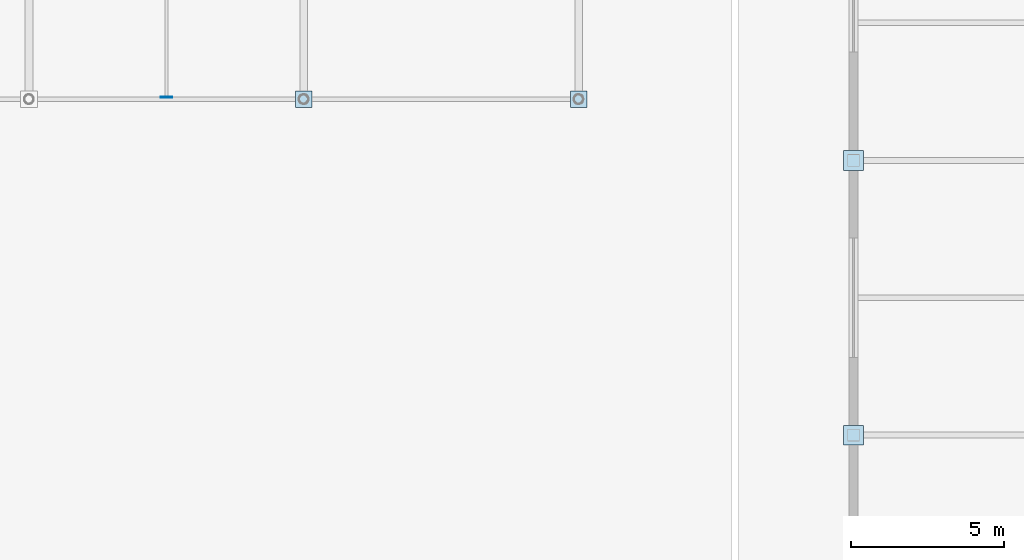
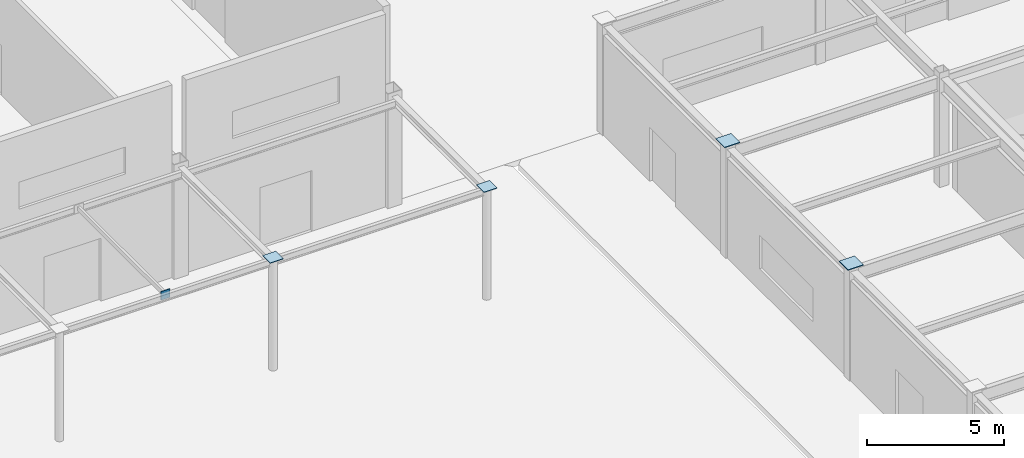
# One storey, part 76 of 123: 5 plates.
"""IFC4 building model written with IfcOpenShell, lengths in metres."""

import ifcopenshell
import ifcopenshell.guid

model = None  # the IFC model being written
_history = None  # IfcOwnerHistory: only IFC2X3 demands one
_inside = {}  # id of a spatial element -> (the spatial element, [elements in it])
_under = {}  # id of a project, library or spatial element -> (it, [spatial elements below it])
_declared = {}  # id of a project -> (the project, [libraries it declares])
_typed = {}  # id of a type object -> (the type object, [elements of that type])
_made_of = {}  # id of a material, layer set ... -> (it, [elements and type objects made of it])


def new_model(schema):
    """Start an empty IFC model of exactly this schema.

    Asked for "IFC4X3", IfcOpenShell would pick the latest addendum, in which some entities
    have other attributes; the version numbers below select the first issue.
    IFC2X3 requires an IfcOwnerHistory on every rooted entity: one is made here for all.
    """
    global model, _history
    if schema == "IFC4X3":
        model = ifcopenshell.file(schema_version=(4, 3, 0, 0))
    else:
        model = ifcopenshell.file(schema=schema)
    _inside.clear()
    _under.clear()
    _declared.clear()
    _typed.clear()
    _made_of.clear()
    _history = None
    if model.schema == "IFC2X3":
        org = make("IfcOrganization", Name="unknown")
        user = make(
            "IfcPersonAndOrganization",
            ThePerson=make("IfcPerson", FamilyName="unknown"),
            TheOrganization=org,
        )
        app = make(
            "IfcApplication",
            ApplicationDeveloper=org,
            Version="unknown",
            ApplicationFullName="unknown",
            ApplicationIdentifier="unknown",
        )
        _history = make(
            "IfcOwnerHistory",
            OwningUser=user,
            OwningApplication=app,
            ChangeAction="ADDED",
            CreationDate=0,
        )
    return model


def make(cls, **values):
    """One entity of the class cls with the attributes given. An attribute that is None is left unset."""
    return model.create_entity(
        cls, **{name: value for name, value in values.items() if value is not None}
    )


def rooted(cls, **values):
    """An entity with a GlobalId (a new one), such as an element, a storey or a relation."""
    return make(cls, GlobalId=ifcopenshell.guid.new(), OwnerHistory=_history, **values)


def si_unit(unit_type, name, prefix=None):
    """IfcSIUnit, for example si_unit("LENGTHUNIT", "METRE", prefix="MILLI")."""
    return make("IfcSIUnit", UnitType=unit_type, Prefix=prefix, Name=name)


def assignment(units):
    """IfcUnitAssignment: the units of a project."""
    return None if units is None else make("IfcUnitAssignment", Units=units)


def point(xyz):
    """IfcCartesianPoint."""
    return None if xyz is None else make("IfcCartesianPoint", Coordinates=xyz)


def direction(xyz):
    """IfcDirection."""
    return None if xyz is None else make("IfcDirection", DirectionRatios=xyz)


def frame(location, z_axis=None, x_axis=None):
    """IfcAxis2Placement3D, a coordinate frame: its origin and axes. An axis left out is left unset."""
    return make(
        "IfcAxis2Placement3D",
        Location=point(location),
        Axis=direction(z_axis),
        RefDirection=direction(x_axis),
    )


def frame_2d(location, x_axis=None):
    """IfcAxis2Placement2D, a coordinate frame in the plane: its origin and x axis."""
    return make(
        "IfcAxis2Placement2D", Location=point(location), RefDirection=direction(x_axis)
    )


def origin():
    """The frame at (0, 0, 0) with its axes left unset."""
    return frame((0.0, 0.0, 0.0))


def origin_2d():
    """The frame at (0, 0) in the plane with its x axis left unset."""
    return frame_2d((0.0, 0.0))


def place(relative_to, where):
    """IfcLocalPlacement: puts the frame where relative to a parent placement (None: the world)."""
    return make(
        "IfcLocalPlacement", PlacementRelTo=relative_to, RelativePlacement=where
    )


def context(
    kind, dimensions, precision=None, world=None, true_north=None, identifier=None
):
    """IfcGeometricRepresentationContext, for example the 3D "Model" context."""
    return make(
        "IfcGeometricRepresentationContext",
        ContextIdentifier=identifier,
        ContextType=kind,
        CoordinateSpaceDimension=dimensions,
        Precision=precision,
        WorldCoordinateSystem=world,
        TrueNorth=true_north,
    )


def subcontext(parent, identifier, kind, view, scale=None):
    """IfcGeometricRepresentationSubContext, for example "Body" below "Model"."""
    return make(
        "IfcGeometricRepresentationSubContext",
        ContextIdentifier=identifier,
        ContextType=kind,
        ParentContext=parent,
        TargetScale=scale,
        TargetView=view,
    )


def project(units=None, contexts=None):
    """IfcProject with its units and contexts."""
    return rooted(
        "IfcProject",
        Name="project",
        RepresentationContexts=contexts,
        UnitsInContext=assignment(units),
    )


def spatial(cls, under=None, at=None, **own):
    """A site, building, storey or space (cls), placed at a placement, below another one or the project."""
    s = rooted(cls, ObjectPlacement=at, **own)
    if under is not None:
        _under.setdefault(under.id(), (under, []))[1].append(s)
    return s


def profile(cls, at=None, kind="AREA", **sizes):
    """A parametric profile (cls). Its sizes go by their IFC names, for example OverallWidth=200.0."""
    return make(cls, ProfileType=kind, Position=at, **sizes)


def rectangle(**sizes):
    """IfcRectangleProfileDef."""
    return profile("IfcRectangleProfileDef", **sizes)


def extrude(swept, where, along, depth):
    """IfcExtrudedAreaSolid: the profile swept, set in the frame where, extruded along a direction by depth."""
    return make(
        "IfcExtrudedAreaSolid",
        SweptArea=swept,
        Position=where,
        ExtrudedDirection=direction(along),
        Depth=depth,
    )


def shape(context_of_items, identifier, shape_type, items):
    """IfcShapeRepresentation: the items that make up one representation, for example the "Body"."""
    return make(
        "IfcShapeRepresentation",
        ContextOfItems=context_of_items,
        RepresentationIdentifier=identifier,
        RepresentationType=shape_type,
        Items=items,
    )


def material(Name=None, Category=None):
    """IfcMaterial."""
    return make("IfcMaterial", Name=Name, Category=Category)


def layer(
    of_material, thickness, ventilated=None, Name=None, Category=None, Priority=None
):
    """IfcMaterialLayer: one layer of a wall or slab, of a material (None: an air gap)."""
    return make(
        "IfcMaterialLayer",
        Material=of_material,
        LayerThickness=thickness,
        IsVentilated=ventilated,
        Name=Name,
        Category=Category,
        Priority=Priority,
    )


def layer_set(layers, Name=None):
    """IfcMaterialLayerSet."""
    return make("IfcMaterialLayerSet", MaterialLayers=layers, LayerSetName=Name)


def made_of(thing, what):
    """Note that an element or type object is made of a material, layer set ...; save() writes the relation."""
    if what is not None:
        _made_of.setdefault(what.id(), (what, []))[1].append(thing)
    return thing


def type_object(cls, material=None, **own):
    """A type object (cls), such as IfcWallType, which elements share."""
    return made_of(rooted(cls, **own), material)


def element(
    cls,
    number,
    at=None,
    inside=None,
    cuts=None,
    type_object=None,
    material=None,
    context=None,
    identifier="Body",
    shape_type=None,
    held_by="IfcProductDefinitionShape",
    body=None,
    shapes=None,
    **own,
):
    """One element of the class cls, such as IfcWall. Its Tag is "e" and its number.

    at: its placement. inside: the storey or other place that contains it. cuts: it is an
    opening in that element (IfcRelVoidsElement). A single representation is given by context,
    identifier, shape_type and body (its items); several are given by shapes. held_by: the class
    of the entity that holds the representations. save() writes the other relations.
    """
    e = rooted(cls, Tag="e%d" % number, ObjectPlacement=at, **own)
    if body is not None:
        shapes = [shape(context, identifier, shape_type, body)]
    if shapes is not None:
        e.Representation = make(held_by, Representations=shapes)
    if inside is not None:
        _inside.setdefault(inside.id(), (inside, []))[1].append(e)
    if cuts is not None:
        rooted(
            "IfcRelVoidsElement", RelatingBuildingElement=cuts, RelatedOpeningElement=e
        )
    if type_object is not None:
        _typed.setdefault(type_object.id(), (type_object, []))[1].append(e)
    return made_of(e, material)


def aggregate(whole, parts):
    """IfcRelAggregates: a whole, such as a stair, and the parts it consists of."""
    return rooted("IfcRelAggregates", RelatingObject=whole, RelatedObjects=parts)


def save(model, path):
    """Write the relations noted so far, then the file.

    IfcRelAggregates (storeys below a building ...), IfcRelContainedInSpatialStructure (elements
    in a storey), IfcRelDefinesByType, IfcRelAssociatesMaterial and IfcRelDeclares: one each for
    every whole, place, type object, material and project.
    """
    for whole, parts in _under.values():
        aggregate(whole, parts)
    for where, things in _inside.values():
        rooted(
            "IfcRelContainedInSpatialStructure",
            RelatedElements=things,
            RelatingStructure=where,
        )
    for kind, things in _typed.values():
        rooted("IfcRelDefinesByType", RelatedObjects=things, RelatingType=kind)
    for what, things in _made_of.values():
        rooted("IfcRelAssociatesMaterial", RelatedObjects=things, RelatingMaterial=what)
    for by, libraries in _declared.values():
        rooted("IfcRelDeclares", RelatingContext=by, RelatedDefinitions=libraries)
    model.write(path)


model = new_model("IFC4")

# Units and contexts
model_context = context("Model", 3, precision=1e-05, world=origin(), true_north=direction((0.0, 1.0)))
body_context = subcontext(model_context, "Body", "Model", "MODEL_VIEW")
ifc_project = project(units=[si_unit("LENGTHUNIT", "METRE"), si_unit("AREAUNIT", "SQUARE_METRE"), si_unit("VOLUMEUNIT", "CUBIC_METRE"), si_unit("PLANEANGLEUNIT", "RADIAN"), si_unit("MASSUNIT", "GRAM", prefix="KILO")], contexts=[model_context])

# Site, building, storey
site_placement = place(None, origin())
site = spatial("IfcSite", under=ifc_project, at=site_placement, CompositionType="ELEMENT")
building_placement = place(site_placement, origin())
building = spatial("IfcBuilding", under=site, at=building_placement, Name="Suzunagisa Mobility Hub", CompositionType="ELEMENT")
storey_placement = place(building_placement, origin())
storey = spatial("IfcBuildingStorey", under=building, at=storey_placement, Name="L00", CompositionType="ELEMENT", Elevation=0.0)

# Plates
ifc_material = material(Name="Steel SN490B", Category="steel")
ifc_layer_1 = layer(ifc_material, 0.02392578125)
ifc_layer_set_1 = layer_set([ifc_layer_1], Name="Steel SN490B")
plate_type_1 = type_object("IfcPlateType", Name="Structural Steel Plate SP-01 550x550x24", PredefinedType="USERDEFINED", material=ifc_layer_set_1)
for number, where, z_axis, x_axis, name in (
    (1, (108.0, 29.0, 4.93994140625), (0.0, 0.0, 1.0), (1.0, 0.0, 0.0), "L00 Column Cap Plate CP-200"),
    (2, (117.0, 29.0, 4.93994140625), (0.0, 0.0, 1.0), (1.0, 0.0, 0.0), "L00 Column Cap Plate CP-211"),
):
    element("IfcPlate", number, at=place(storey_placement, frame(where, z_axis=z_axis, x_axis=x_axis)), inside=storey, type_object=plate_type_1, Name=name, ObjectType="BASE PLATE", PredefinedType="USERDEFINED", context=body_context, shape_type="SweptSolid", body=[
        extrude(rectangle(XDim=0.550048828125, YDim=0.550048828125, at=origin_2d()), origin(), (0.0, 0.0, 1.0), 0.02392578125),
    ])
ifc_layer_2 = layer(ifc_material, 0.031982421875)
ifc_layer_set_2 = layer_set([ifc_layer_2], Name="Steel SN490B")
plate_type_2 = type_object("IfcPlateType", Name="Structural Steel Plate SP-05 650x650x32", PredefinedType="USERDEFINED", material=ifc_layer_set_2)
for number, where, z_axis, x_axis, name in (
    (3, (126.0, 18.0, 5.0400390625), (0.0, 0.0, 1.0), (1.0, 0.0, 0.0), "L00 Column Cap Plate CP-230"),
    (4, (126.0, 27.0, 5.0400390625), (0.0, 0.0, 1.0), (1.0, 0.0, 0.0), "L00 Column Cap Plate CP-231"),
):
    element("IfcPlate", number, at=place(storey_placement, frame(where, z_axis=z_axis, x_axis=x_axis)), inside=storey, type_object=plate_type_2, Name=name, ObjectType="BASE PLATE", PredefinedType="USERDEFINED", context=body_context, shape_type="SweptSolid", body=[
        extrude(rectangle(XDim=0.64990234375, YDim=0.64990234375, at=origin_2d()), origin(), (0.0, 0.0, 1.0), 0.031982421875),
    ])
ifc_layer_3 = layer(ifc_material, 0.028076171875)
ifc_layer_set_3 = layer_set([ifc_layer_3], Name="Steel SN490B")
plate_type_3 = type_object("IfcPlateType", Name="Structural Steel Plate SP-07 380x380x28", PredefinedType="USERDEFINED", material=ifc_layer_set_3)
plate_placement = place(storey_placement, frame((103.5, 29.06591796875, 4.650146484375), z_axis=(0.0, 0.0, 1.0), x_axis=(1.0, 0.0, 0.0)))
element("IfcPlate", 5, at=plate_placement, inside=storey, type_object=plate_type_3, Name="Canopy Frame End Gusset Plate CPG-6S", ObjectType="GUSSET PLATE", PredefinedType="USERDEFINED", context=body_context, shape_type="SweptSolid", body=[
    extrude(rectangle(XDim=0.3798828125, YDim=0.028076171875, at=origin_2d()), origin(), (0.0, 0.0, 1.0), 0.3798828125),
])

save(model, "model.ifc")
